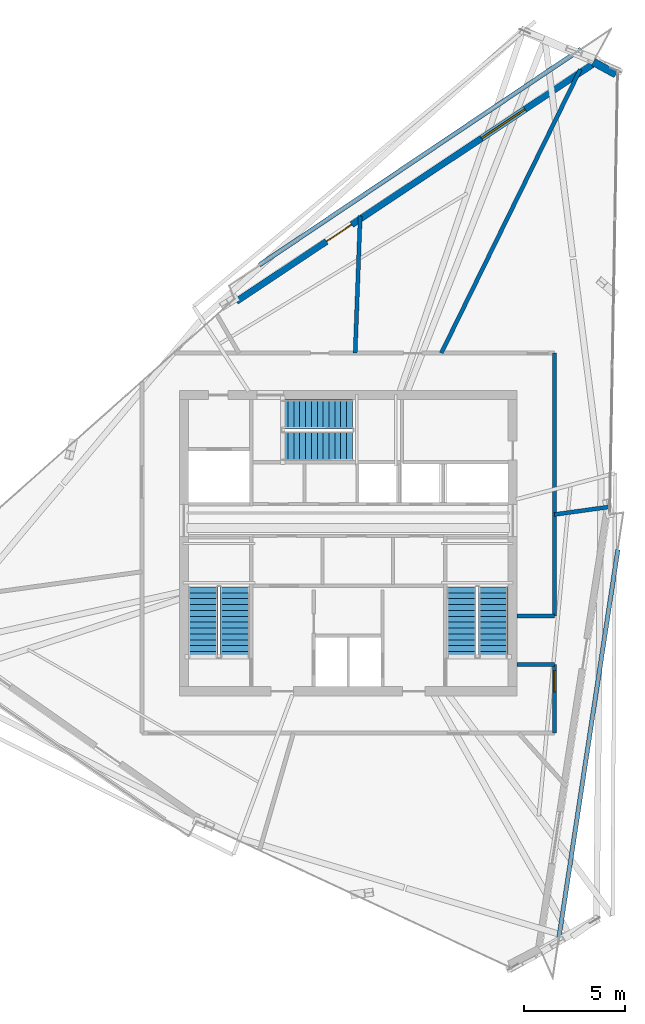
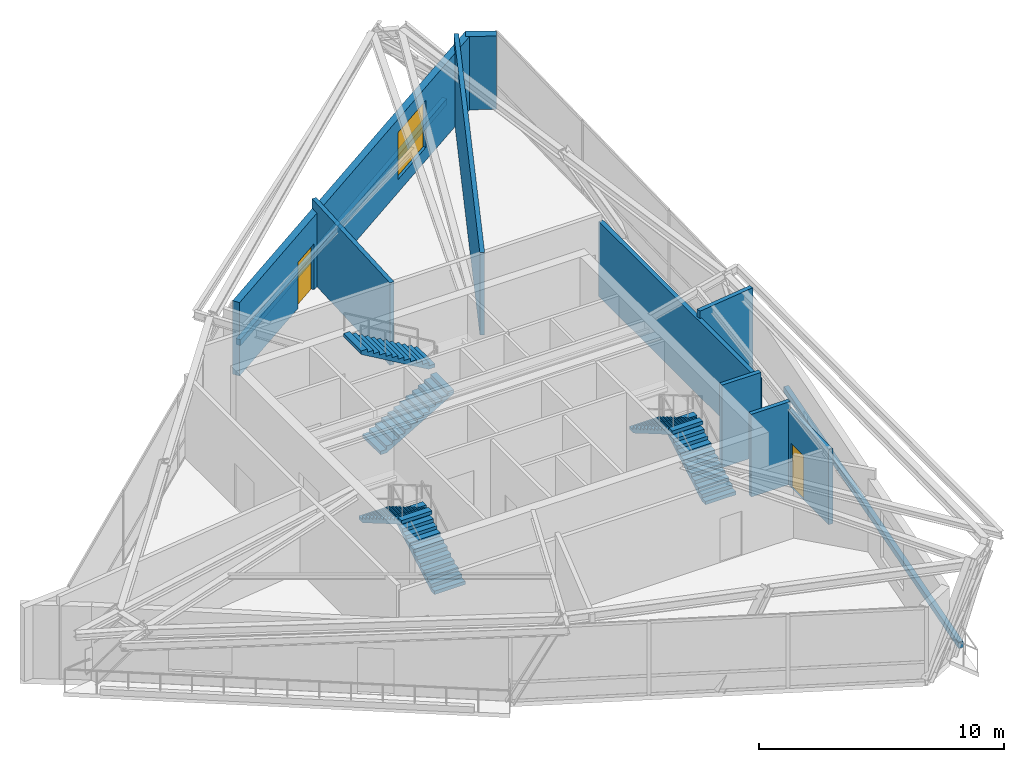
# One storey, part 19 of 22: 11 walls, 6 stair flights, 2 doors, 1 window, 3 openings, 3 elements without a shape of their own.
"""IFC4 building model written with IfcOpenShell, lengths in metres."""

from ifc_helpers import new_model, si_unit, direction, frame, frame_2d, origin, place, context, subcontext, project, spatial, polyline, rectangle, outline, extrude, source, transform, mapped, material, layer, layer_set, type_object, type_shapes, element, fill, aggregate, save


model = new_model("IFC4")

# Units and contexts
model_context = context("Model", 3, precision=1e-05, world=origin(), true_north=direction((0.0, 1.0)))
body_context = subcontext(model_context, "Body", "Model", "MODEL_VIEW")
ifc_project = project(units=[si_unit("LENGTHUNIT", "METRE"), si_unit("AREAUNIT", "SQUARE_METRE"), si_unit("VOLUMEUNIT", "CUBIC_METRE"), si_unit("PLANEANGLEUNIT", "RADIAN"), si_unit("MASSUNIT", "GRAM", prefix="KILO")], contexts=[model_context])

# Site, building, storey
site_placement = place(None, origin())
site = spatial("IfcSite", under=ifc_project, at=site_placement, CompositionType="ELEMENT")
building_placement = place(site_placement, origin())
building = spatial("IfcBuilding", under=site, at=building_placement, Name="Olszyna Solenne Hotel", CompositionType="ELEMENT")
storey_placement = place(building_placement, frame((0.0, 0.0, 286.10009765625)))
storey = spatial("IfcBuildingStorey", under=building, at=storey_placement, Name="L76", CompositionType="ELEMENT", Elevation=286.10009765625)

# Wall, openings, door, window
ifc_material_1 = material(Name="Precast concrete C45/55", Category="concrete")
ifc_layer_1 = layer(ifc_material_1, 0.320068359375, Name="Precast concrete C45/55")
ifc_layer_set_1 = layer_set([ifc_layer_1], Name="Precast concrete C45/55")
wall_type_1 = type_object("IfcWallType", Name="WL-EX320", PredefinedType="SOLIDWALL", material=ifc_layer_set_1)
wall_1_placement = place(storey_placement, frame((32.46484375, 38.5537109375, 0.0), z_axis=(0.0, 0.0, 1.0), x_axis=(0.832540755873, 0.553963798285, 0.0)))
wall_1 = element("IfcWall", 1, at=wall_1_placement, inside=storey, type_object=wall_type_1, Name="Exterior terracotta-precast frame wall WL-EX320 EW-L76-08", PredefinedType="SOLIDWALL", context=body_context, shape_type="SweptSolid", body=[
    extrude(rectangle(XDim=21.428466796875, YDim=0.320068359375, at=frame_2d((10.71435546875, 0.0))), origin(), (0.0, 0.0, 1.0), 3.661865234375),
])
opening_1_placement = place(wall_1_placement, frame((5.35693359375, 0.0, 0.0)))
opening_1 = element("IfcOpeningElement", 2, at=opening_1_placement, cuts=wall_1, Name="Opening LDG-L76-1", PredefinedType="OPENING", context=body_context, shape_type="SweptSolid", body=[
    extrude(rectangle(XDim=1.5, YDim=2.300048828125, at=frame_2d((0.75, 1.14990234375))), frame((0.0, 0.169921875, 0.0), z_axis=(0.0, -1.0, 0.0), x_axis=(1.0, 0.0, 0.0)), (0.0, 0.0, 1.0), 0.340087890625),
])
opening_2_placement = place(wall_1_placement, frame((14.556884765625, 0.0, 0.64990234375)))
opening_2 = element("IfcOpeningElement", 3, at=opening_2_placement, cuts=wall_1, Name="Opening WN-L76-502", PredefinedType="OPENING", context=body_context, shape_type="SweptSolid", body=[
    extrude(rectangle(XDim=2.60009765625, YDim=2.35009765625, at=frame_2d((1.300048828125, 1.175048828125))), frame((0.0, 0.169921875, 0.0), z_axis=(0.0, -1.0, 0.0), x_axis=(1.0, 0.0, 0.0)), (0.0, 0.0, 1.0), 0.340087890625),
])
ifc_material_2 = material(Name="Anodised bronze aluminium", Category="aluminium")
door_type_1 = type_object("IfcDoorType", Name="DR-LG2", OperationType="DOUBLE_DOOR_SINGLE_SWING", PredefinedType="DOOR", material=ifc_material_2)
shared_shape_1 = source(origin(), body_context, "Body", "SweptSolid", [
    extrude(rectangle(XDim=1.5, YDim=2.300048828125, at=frame_2d((0.75, 1.14990234375))), frame((0.0, 0.02490234375, 0.0), z_axis=(0.0, -1.0, 0.0), x_axis=(1.0, 0.0, 0.0)), (0.0, 0.0, 1.0), 0.050048828125),
])
type_shapes(door_type_1, [shared_shape_1])
door_1_placement = place(opening_1_placement, origin())
door_1 = element("IfcDoor", 4, at=door_1_placement, inside=storey, type_object=door_type_1, Name="Exterior loggia balcony door DR-LG2 LDG-L76-1", OperationType="DOUBLE_DOOR_SINGLE_SWING", OverallHeight=2.300048828125, OverallWidth=1.5, PredefinedType="DOOR", context=body_context, shape_type="MappedRepresentation", body=[
    mapped(shared_shape_1, transform((0.0, 0.0, 0.0), x_axis=(1.0, 0.0, 0.0), y_axis=(0.0, 1.0, 0.0), z_axis=(0.0, 0.0, 1.0), scale=1.0)),
])
fill(opening_1, door_1)
ifc_material_3 = material(Name="Low-E triple glazing", Category="glass")
window_type = type_object("IfcWindowType", Name="WN-ST1", PartitioningType="SINGLE_PANEL", PredefinedType="WINDOW", material=ifc_material_3)
shared_shape_2 = source(origin(), body_context, "Body", "SweptSolid", [
    extrude(rectangle(XDim=2.60009765625, YDim=2.35009765625, at=frame_2d((1.300048828125, 1.175048828125))), frame((0.0, 0.030029296875, 0.0), z_axis=(0.0, -1.0, 0.0), x_axis=(1.0, 0.0, 0.0)), (0.0, 0.0, 1.0), 0.06005859375),
])
type_shapes(window_type, [shared_shape_2])
window_placement = place(opening_2_placement, origin())
window = element("IfcWindow", 5, at=window_placement, inside=storey, type_object=window_type, Name="Loggia room window WN-ST1 WN-L76-502", OverallHeight=2.35009765625, OverallWidth=2.60009765625, PartitioningType="SINGLE_PANEL", PredefinedType="WINDOW", context=body_context, shape_type="MappedRepresentation", body=[
    mapped(shared_shape_2, transform((0.0, 0.0, 0.0), x_axis=(1.0, 0.0, 0.0), y_axis=(0.0, 1.0, 0.0), z_axis=(0.0, 0.0, 1.0), scale=1.0)),
])
fill(opening_2, window)

# Walls
ifc_material_4 = material(Name="Terracotta cladding on precast concrete C45/55", Category="masonry")
ifc_layer_2 = layer(ifc_material_4, 0.3798828125, Name="Terracotta cladding on precast concrete C45/55")
ifc_layer_set_2 = layer_set([ifc_layer_2], Name="Terracotta cladding on precast concrete C45/55")
wall_type_2 = type_object("IfcWallType", Name="WL-EX380", PredefinedType="SOLIDWALL", material=ifc_layer_set_2)
wall_2_placement = place(storey_placement, frame((50.125244140625, 50.390869140625, 0.0), z_axis=(0.0, 0.0, 1.0), x_axis=(0.877570550329, -0.479447524965, 0.0)))
element("IfcWall", 6, at=wall_2_placement, inside=storey, type_object=wall_type_2, Name="Exterior terracotta-precast frame wall WL-EX380 EW-L76-09", PredefinedType="SOLIDWALL", context=body_context, shape_type="SweptSolid", body=[
    extrude(rectangle(XDim=1.263916015625, YDim=0.3798828125, at=frame_2d((0.6318359375, 0.0))), origin(), (0.0, 0.0, 1.0), 3.661865234375),
])
ifc_layer_3 = layer(ifc_material_1, 0.219970703125, Name="Precast concrete C45/55")
ifc_layer_set_3 = layer_set([ifc_layer_3], Name="Precast concrete C45/55")
wall_type_3 = type_object("IfcWallType", Name="WL-PR220", PredefinedType="PARAPET", material=ifc_layer_set_3)
wall_3_placement = place(storey_placement, frame((49.506591796875, 51.029541015625, 0.0), z_axis=(0.0, 0.0, 1.0), x_axis=(-0.830196011269, -0.557471598266, 0.0)))
element("IfcWall", 7, at=wall_3_placement, inside=storey, type_object=wall_type_3, Name="Loggia balcony precast kerb PR-L76-LG1", PredefinedType="PARAPET", context=body_context, shape_type="SweptSolid", body=[
    extrude(rectangle(XDim=19.14892578125, YDim=0.219970703125, at=frame_2d((9.574462890625, 0.0))), origin(), (0.0, 0.0, 1.0), 0.2998046875),
])
wall_4_placement = place(storey_placement, frame((48.39306640625, 6.909912109375, 0.0), z_axis=(0.0, 0.0, 1.0), x_axis=(0.150189659266, 0.98865720361, 0.0)))
element("IfcWall", 8, at=wall_4_placement, inside=storey, type_object=wall_type_3, Name="Loggia balcony precast kerb PR-L76-LG3", PredefinedType="PARAPET", context=body_context, shape_type="SweptSolid", body=[
    extrude(rectangle(XDim=19.591064453125, YDim=0.219970703125, at=frame_2d((9.79541015625, 0.0))), origin(), (0.0, 0.0, 1.0), 0.2998046875),
])
ifc_material_5 = material(Name="Acoustic gypsum partition", Category="gypsum")
ifc_layer_4 = layer(ifc_material_5, 0.199951171875, Name="Acoustic gypsum partition")
ifc_layer_set_4 = layer_set([ifc_layer_4], Name="Acoustic gypsum partition")
wall_type_4 = type_object("IfcWallType", Name="WL-PT200", PredefinedType="PARTITIONING", material=ifc_layer_set_4)
wall_5_placement = place(storey_placement, frame((48.199951171875, 28.015380859375, 0.0), z_axis=(0.0, 0.0, 1.0), x_axis=(0.990516249749, 0.137395629415, 0.0)))
element("IfcWall", 9, at=wall_5_placement, inside=storey, type_object=wall_type_4, Name="Interior acoustic partition WL-PT200 PW-L76-4148", PredefinedType="PARTITIONING", context=body_context, shape_type="SweptSolid", body=[
    extrude(rectangle(XDim=2.734619140625, YDim=0.199951171875, at=frame_2d((1.3671875, 0.0))), origin(), (0.0, 0.0, 1.0), 4.119873046875),
])
wall_6_placement = place(storey_placement, frame((42.60498046875, 36.0, 0.0), z_axis=(0.0, 0.0, 1.0), x_axis=(0.439942035574, 0.898026171854, 0.0)))
element("IfcWall", 10, at=wall_6_placement, inside=storey, type_object=wall_type_4, Name="Interior acoustic partition WL-PT200 PW-L76-4149", PredefinedType="PARTITIONING", context=body_context, shape_type="SweptSolid", body=[
    extrude(rectangle(XDim=15.623779296875, YDim=0.199951171875, at=frame_2d((7.81201171875, 0.0))), origin(), (0.0, 0.0, 1.0), 4.119873046875),
])
wall_7_placement = place(storey_placement, frame((38.3447265625, 36.0, 0.0), z_axis=(0.0, 0.0, 1.0), x_axis=(0.036626129912, 0.999329038209, 0.0)))
element("IfcWall", 11, at=wall_7_placement, inside=storey, type_object=wall_type_4, Name="Interior acoustic partition WL-PT200 PW-L76-4150", PredefinedType="PARTITIONING", context=body_context, shape_type="SweptSolid", body=[
    extrude(rectangle(XDim=6.79248046875, YDim=0.199951171875, at=frame_2d((3.396240234375, 0.0))), origin(), (0.0, 0.0, 1.0), 4.119873046875),
])

# Wall, opening, door
wall_8_placement = place(storey_placement, frame((48.199951171875, 17.199951171875, 0.0), z_axis=(0.0, 0.0, 1.0), x_axis=(0.0, 1.0, 0.0)))
wall_8 = element("IfcWall", 12, at=wall_8_placement, inside=storey, type_object=wall_type_4, Name="Interior acoustic partition WL-PT200 PW-L76-4154", PredefinedType="PARTITIONING", context=body_context, shape_type="SweptSolid", body=[
    extrude(rectangle(XDim=3.400146484375, YDim=0.199951171875, at=frame_2d((1.7001953125, 0.0))), origin(), (0.0, 0.0, 1.0), 3.744873046875),
])
opening_3_placement = place(wall_8_placement, frame((2.050048828125, 0.0, 0.0)))
opening_3 = element("IfcOpeningElement", 13, at=opening_3_placement, cuts=wall_8, Name="Opening DR-L76-1006", PredefinedType="OPENING", context=body_context, shape_type="SweptSolid", body=[
    extrude(rectangle(XDim=1.050048828125, YDim=2.199951171875, at=frame_2d((0.52490234375, 1.10009765625))), frame((0.0, 0.10986328125, 0.0), z_axis=(0.0, -1.0, 0.0), x_axis=(1.0, 0.0, 0.0)), (0.0, 0.0, 1.0), 0.219970703125),
])
ifc_material_6 = material(Name="Timber hardwood", Category="wood")
door_type_2 = type_object("IfcDoorType", Name="DR-RM2", OperationType="NOTDEFINED", PredefinedType="DOOR", material=ifc_material_6)
shared_shape_3 = source(origin(), body_context, "Body", "SweptSolid", [
    extrude(rectangle(XDim=1.050048828125, YDim=2.199951171875, at=frame_2d((0.52490234375, 1.10009765625))), frame((0.0, 0.02490234375, 0.0), z_axis=(0.0, -1.0, 0.0), x_axis=(1.0, 0.0, 0.0)), (0.0, 0.0, 1.0), 0.050048828125),
])
type_shapes(door_type_2, [shared_shape_3])
door_2_placement = place(opening_3_placement, origin())
door_2 = element("IfcDoor", 14, at=door_2_placement, inside=storey, type_object=door_type_2, Name="Skywalk Champagne Lounge Entrance Door DR-L76-1006", OperationType="SINGLE_SWING_RIGHT", OverallHeight=2.199951171875, OverallWidth=1.050048828125, PredefinedType="DOOR", context=body_context, shape_type="MappedRepresentation", body=[
    mapped(shared_shape_3, transform((0.0, 0.0, 0.0), x_axis=(1.0, 0.0, 0.0), y_axis=(0.0, 1.0, 0.0), z_axis=(0.0, 0.0, 1.0), scale=1.0)),
])
fill(opening_3, door_2)

# Walls
wall_9_placement = place(storey_placement, frame((46.35009765625, 20.60009765625, 0.0), z_axis=(0.0, 0.0, 1.0), x_axis=(1.0, 0.0, 0.0)))
element("IfcWall", 15, at=wall_9_placement, inside=storey, type_object=wall_type_4, Name="Interior acoustic partition WL-PT200 PW-L76-4155", PredefinedType="PARTITIONING", context=body_context, shape_type="SweptSolid", body=[
    extrude(rectangle(XDim=1.849853515625, YDim=0.199951171875, at=frame_2d((0.9248046875, 0.0))), origin(), (0.0, 0.0, 1.0), 4.119873046875),
])
wall_10_placement = place(storey_placement, frame((48.199951171875, 23.0, 0.0), z_axis=(0.0, 0.0, 1.0), x_axis=(0.0, 1.0, 0.0)))
element("IfcWall", 16, at=wall_10_placement, inside=storey, type_object=wall_type_4, Name="Interior acoustic partition WL-PT200 PW-L76-4156", PredefinedType="PARTITIONING", context=body_context, shape_type="SweptSolid", body=[
    extrude(rectangle(XDim=13.0, YDim=0.199951171875, at=frame_2d((6.5, 0.0))), origin(), (0.0, 0.0, 1.0), 3.744873046875),
])
wall_11_placement = place(storey_placement, frame((46.35009765625, 23.0, 0.0), z_axis=(0.0, 0.0, 1.0), x_axis=(1.0, 0.0, 0.0)))
element("IfcWall", 17, at=wall_11_placement, inside=storey, type_object=wall_type_4, Name="Interior acoustic partition WL-PT200 PW-L76-4157", PredefinedType="PARTITIONING", context=body_context, shape_type="SweptSolid", body=[
    extrude(rectangle(XDim=1.849853515625, YDim=0.199951171875, at=frame_2d((0.9248046875, 0.0))), origin(), (0.0, 0.0, 1.0), 4.119873046875),
])

# Stair, stair flights
ifc_material_7 = material(Name="Concrete C40/50", Category="concrete")
stair_type = type_object("IfcStairType", Name="STR-C1", PredefinedType="TWO_QUARTER_WINDING_STAIR", material=ifc_material_7)
stair_1_placement = place(storey_placement, origin())
stair_1 = element("IfcStair", 18, at=stair_1_placement, inside=storey, type_object=stair_type, Name="L76 ST1", PredefinedType="TWO_QUARTER_WINDING_STAIR")
stair_flight_type = type_object("IfcStairFlightType", Name="FLT-C1", PredefinedType="STRAIGHT", material=ifc_material_7)
stair_flight_1_placement = place(storey_placement, frame((32.39501953125, 20.949951171875, 0.0), z_axis=(0.0, 0.0, 1.0), x_axis=(0.0, 1.0, 0.0)))
stair_flight_1 = element("IfcStairFlight", 19, at=stair_flight_1_placement, type_object=stair_flight_type, Name="ST1 flight 1", NumberOfRisers=13, NumberOfTreads=12, PredefinedType="STRAIGHT", RiserHeight=0.169230769, TreadLength=0.29, context=body_context, shape_type="SweptSolid", body=[
    extrude(outline(polyline([(0.0, 0.0), (0.0, 0.169189453125), (0.2900390625, 0.169189453125), (0.2900390625, 0.33837890625), (0.580078125, 0.33837890625), (0.580078125, 0.5078125), (0.8701171875, 0.5078125), (0.8701171875, 0.677001953125), (1.159912109375, 0.677001953125), (1.159912109375, 0.84619140625), (1.449951171875, 0.84619140625), (1.449951171875, 1.015380859375), (1.739990234375, 1.015380859375), (1.739990234375, 1.1845703125), (2.030029296875, 1.1845703125), (2.030029296875, 1.353759765625), (2.320068359375, 1.353759765625), (2.320068359375, 1.523193359375), (2.610107421875, 1.523193359375), (2.610107421875, 1.6923828125), (2.89990234375, 1.6923828125), (2.89990234375, 1.861572265625), (3.18994140625, 1.861572265625), (3.18994140625, 2.03076171875), (3.47998046875, 2.03076171875), (3.47998046875, 2.199951171875), (3.47998046875, 1.857177734375), (0.29736328125, 0.0), (0.0, 0.0)])), frame((0.0, 0.72509765625, 0.0), z_axis=(0.0, -1.0, 0.0), x_axis=(1.0, 0.0, 0.0)), (0.0, 0.0, 1.0), 1.449951171875),
])
stair_flight_2_placement = place(storey_placement, frame((30.824951171875, 24.429931640625, 2.199951171875), z_axis=(0.0, 0.0, 1.0), x_axis=(0.0, -1.0, 0.0)))
stair_flight_2 = element("IfcStairFlight", 20, at=stair_flight_2_placement, type_object=stair_flight_type, Name="ST1 flight 2", NumberOfRisers=13, NumberOfTreads=12, PredefinedType="STRAIGHT", RiserHeight=0.169230769, TreadLength=0.29, context=body_context, shape_type="SweptSolid", body=[
    extrude(outline(polyline([(0.0, 0.0), (0.0, 0.169189453125), (0.2900390625, 0.169189453125), (0.2900390625, 0.33837890625), (0.580078125, 0.33837890625), (0.580078125, 0.5078125), (0.8701171875, 0.5078125), (0.8701171875, 0.677001953125), (1.159912109375, 0.677001953125), (1.159912109375, 0.84619140625), (1.449951171875, 0.84619140625), (1.449951171875, 1.015380859375), (1.739990234375, 1.015380859375), (1.739990234375, 1.1845703125), (2.030029296875, 1.1845703125), (2.030029296875, 1.353759765625), (2.320068359375, 1.353759765625), (2.320068359375, 1.523193359375), (2.610107421875, 1.523193359375), (2.610107421875, 1.6923828125), (2.89990234375, 1.6923828125), (2.89990234375, 1.861572265625), (3.18994140625, 1.861572265625), (3.18994140625, 2.03076171875), (3.47998046875, 2.03076171875), (3.47998046875, 2.199951171875), (3.47998046875, 1.857177734375), (0.29736328125, 0.0), (0.0, 0.0)])), frame((0.0, 0.72509765625, 0.0), z_axis=(0.0, -1.0, 0.0), x_axis=(1.0, 0.0, 0.0)), (0.0, 0.0, 1.0), 1.449951171875),
])
aggregate(stair_1, [stair_flight_1, stair_flight_2])

stair_2_placement = place(storey_placement, origin())
stair_2 = element("IfcStair", 21, at=stair_2_placement, inside=storey, type_object=stair_type, Name="L76 ST2", PredefinedType="TWO_QUARTER_WINDING_STAIR")
stair_flight_3_placement = place(storey_placement, frame((45.175048828125, 20.949951171875, 0.0), z_axis=(0.0, 0.0, 1.0), x_axis=(0.0, 1.0, 0.0)))
stair_flight_3 = element("IfcStairFlight", 22, at=stair_flight_3_placement, type_object=stair_flight_type, Name="ST2 flight 1", NumberOfRisers=13, NumberOfTreads=12, PredefinedType="STRAIGHT", RiserHeight=0.169230769, TreadLength=0.29, context=body_context, shape_type="SweptSolid", body=[
    extrude(outline(polyline([(0.0, 0.0), (0.0, 0.169189453125), (0.2900390625, 0.169189453125), (0.2900390625, 0.33837890625), (0.580078125, 0.33837890625), (0.580078125, 0.5078125), (0.8701171875, 0.5078125), (0.8701171875, 0.677001953125), (1.159912109375, 0.677001953125), (1.159912109375, 0.84619140625), (1.449951171875, 0.84619140625), (1.449951171875, 1.015380859375), (1.739990234375, 1.015380859375), (1.739990234375, 1.1845703125), (2.030029296875, 1.1845703125), (2.030029296875, 1.353759765625), (2.320068359375, 1.353759765625), (2.320068359375, 1.523193359375), (2.610107421875, 1.523193359375), (2.610107421875, 1.6923828125), (2.89990234375, 1.6923828125), (2.89990234375, 1.861572265625), (3.18994140625, 1.861572265625), (3.18994140625, 2.03076171875), (3.47998046875, 2.03076171875), (3.47998046875, 2.199951171875), (3.47998046875, 1.857177734375), (0.29736328125, 0.0), (0.0, 0.0)])), frame((0.0, 0.72509765625, 0.0), z_axis=(0.0, -1.0, 0.0), x_axis=(1.0, 0.0, 0.0)), (0.0, 0.0, 1.0), 1.449951171875),
])
stair_flight_4_placement = place(storey_placement, frame((43.60498046875, 24.429931640625, 2.199951171875), z_axis=(0.0, 0.0, 1.0), x_axis=(0.0, -1.0, 0.0)))
stair_flight_4 = element("IfcStairFlight", 23, at=stair_flight_4_placement, type_object=stair_flight_type, Name="ST2 flight 2", NumberOfRisers=13, NumberOfTreads=12, PredefinedType="STRAIGHT", RiserHeight=0.169230769, TreadLength=0.29, context=body_context, shape_type="SweptSolid", body=[
    extrude(outline(polyline([(0.0, 0.0), (0.0, 0.169189453125), (0.2900390625, 0.169189453125), (0.2900390625, 0.33837890625), (0.580078125, 0.33837890625), (0.580078125, 0.5078125), (0.8701171875, 0.5078125), (0.8701171875, 0.677001953125), (1.159912109375, 0.677001953125), (1.159912109375, 0.84619140625), (1.449951171875, 0.84619140625), (1.449951171875, 1.015380859375), (1.739990234375, 1.015380859375), (1.739990234375, 1.1845703125), (2.030029296875, 1.1845703125), (2.030029296875, 1.353759765625), (2.320068359375, 1.353759765625), (2.320068359375, 1.523193359375), (2.610107421875, 1.523193359375), (2.610107421875, 1.6923828125), (2.89990234375, 1.6923828125), (2.89990234375, 1.861572265625), (3.18994140625, 1.861572265625), (3.18994140625, 2.03076171875), (3.47998046875, 2.03076171875), (3.47998046875, 2.199951171875), (3.47998046875, 1.857177734375), (0.29736328125, 0.0), (0.0, 0.0)])), frame((0.0, 0.72509765625, 0.0), z_axis=(0.0, -1.0, 0.0), x_axis=(1.0, 0.0, 0.0)), (0.0, 0.0, 1.0), 1.449951171875),
])
aggregate(stair_2, [stair_flight_3, stair_flight_4])

stair_3_placement = place(storey_placement, origin())
stair_3 = element("IfcStair", 24, at=stair_3_placement, inside=storey, type_object=stair_type, Name="L76 ST3", PredefinedType="TWO_QUARTER_WINDING_STAIR")
stair_flight_5_placement = place(storey_placement, frame((34.72998046875, 31.405029296875, 0.0), z_axis=(0.0, 0.0, 1.0), x_axis=(1.0, 0.0, 0.0)))
stair_flight_5 = element("IfcStairFlight", 25, at=stair_flight_5_placement, type_object=stair_flight_type, Name="ST3 flight 1", NumberOfRisers=13, NumberOfTreads=12, PredefinedType="STRAIGHT", RiserHeight=0.169230769, TreadLength=0.29, context=body_context, shape_type="SweptSolid", body=[
    extrude(outline(polyline([(0.0, 0.0), (0.0, 0.169189453125), (0.2900390625, 0.169189453125), (0.2900390625, 0.33837890625), (0.580078125, 0.33837890625), (0.580078125, 0.5078125), (0.8701171875, 0.5078125), (0.8701171875, 0.677001953125), (1.159912109375, 0.677001953125), (1.159912109375, 0.84619140625), (1.449951171875, 0.84619140625), (1.449951171875, 1.015380859375), (1.739990234375, 1.015380859375), (1.739990234375, 1.1845703125), (2.030029296875, 1.1845703125), (2.030029296875, 1.353759765625), (2.320068359375, 1.353759765625), (2.320068359375, 1.523193359375), (2.610107421875, 1.523193359375), (2.610107421875, 1.6923828125), (2.89990234375, 1.6923828125), (2.89990234375, 1.861572265625), (3.18994140625, 1.861572265625), (3.18994140625, 2.03076171875), (3.47998046875, 2.03076171875), (3.47998046875, 2.199951171875), (3.47998046875, 1.857177734375), (0.29736328125, 0.0), (0.0, 0.0)])), frame((0.0, 0.72509765625, 0.0), z_axis=(0.0, -1.0, 0.0), x_axis=(1.0, 0.0, 0.0)), (0.0, 0.0, 1.0), 1.449951171875),
])
stair_flight_6_placement = place(storey_placement, frame((38.2099609375, 32.97509765625, 2.199951171875), z_axis=(0.0, 0.0, 1.0), x_axis=(-1.0, 0.0, 0.0)))
stair_flight_6 = element("IfcStairFlight", 26, at=stair_flight_6_placement, type_object=stair_flight_type, Name="ST3 flight 2", NumberOfRisers=13, NumberOfTreads=12, PredefinedType="STRAIGHT", RiserHeight=0.169230769, TreadLength=0.29, context=body_context, shape_type="SweptSolid", body=[
    extrude(outline(polyline([(0.0, 0.0), (0.0, 0.169189453125), (0.2900390625, 0.169189453125), (0.2900390625, 0.33837890625), (0.580078125, 0.33837890625), (0.580078125, 0.5078125), (0.8701171875, 0.5078125), (0.8701171875, 0.677001953125), (1.159912109375, 0.677001953125), (1.159912109375, 0.84619140625), (1.449951171875, 0.84619140625), (1.449951171875, 1.015380859375), (1.739990234375, 1.015380859375), (1.739990234375, 1.1845703125), (2.030029296875, 1.1845703125), (2.030029296875, 1.353759765625), (2.320068359375, 1.353759765625), (2.320068359375, 1.523193359375), (2.610107421875, 1.523193359375), (2.610107421875, 1.6923828125), (2.89990234375, 1.6923828125), (2.89990234375, 1.861572265625), (3.18994140625, 1.861572265625), (3.18994140625, 2.03076171875), (3.47998046875, 2.03076171875), (3.47998046875, 2.199951171875), (3.47998046875, 1.857177734375), (0.29736328125, 0.0), (0.0, 0.0)])), frame((0.0, 0.72509765625, 0.0), z_axis=(0.0, -1.0, 0.0), x_axis=(1.0, 0.0, 0.0)), (0.0, 0.0, 1.0), 1.449951171875),
])
aggregate(stair_3, [stair_flight_5, stair_flight_6])

save(model, "model.ifc")
